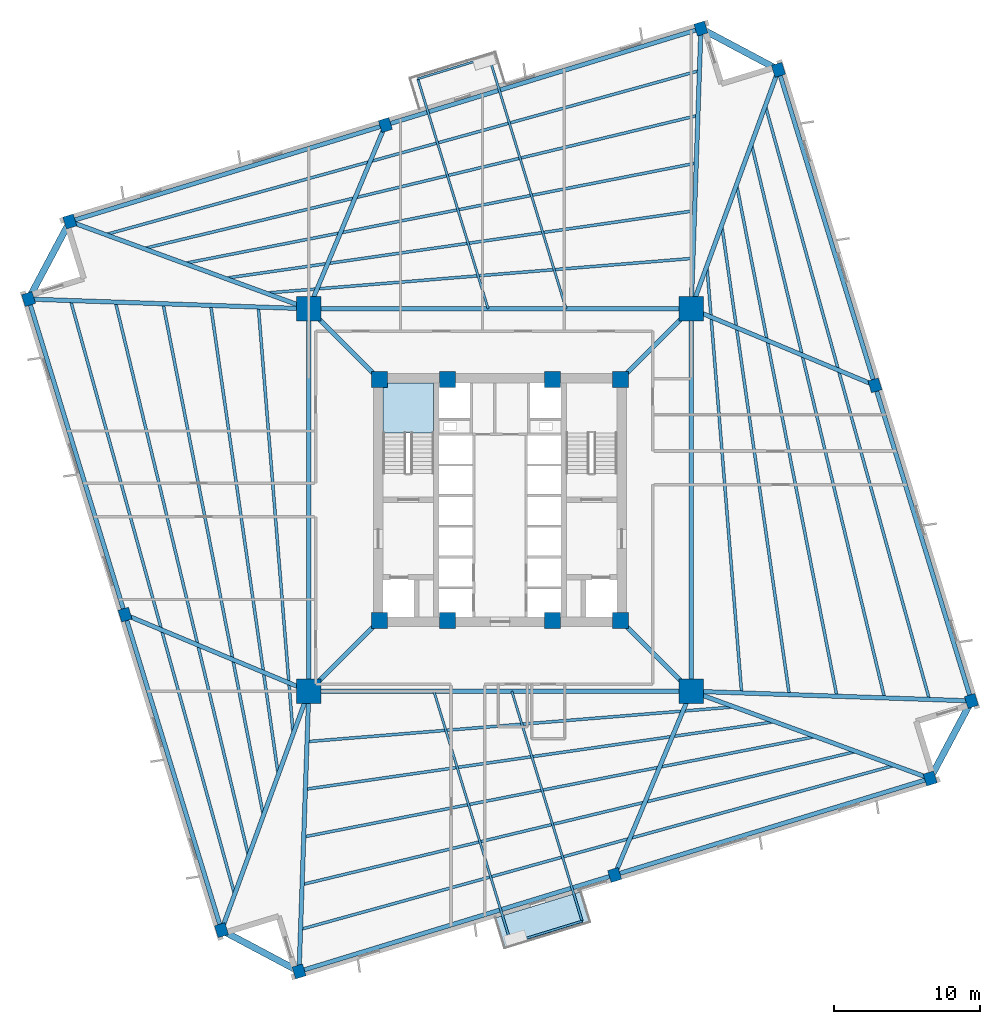
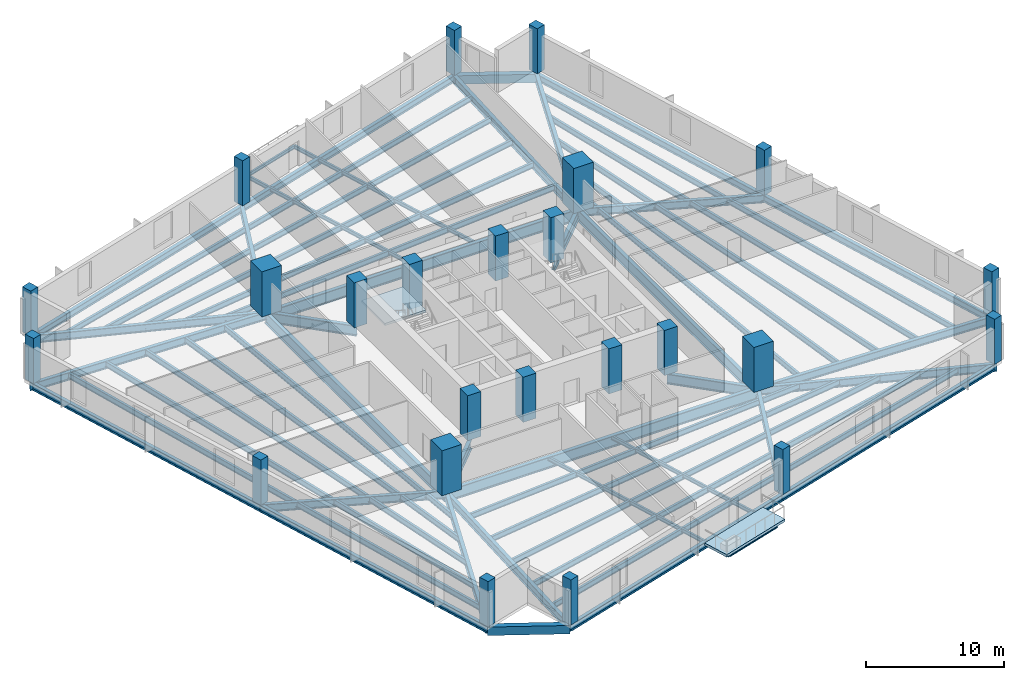
# One storey, part 1 of 8: 58 beams, 24 columns, 2 slabs, 1 element without a shape of its own.
"""IFC4 building model written with IfcOpenShell, lengths in metres."""

from ifc_helpers import new_model, si_unit, direction, frame, origin, origin_2d, place, context, subcontext, project, spatial, polyline, rectangle, i_section, outline, extrude, source, transform, mapped, material, layer, layer_set, material_profile, profile_set, type_object, element, aggregate, save


model = new_model("IFC4")

# Units and contexts
model_context = context("Model", 3, precision=1e-05, world=origin(), true_north=direction((0.0, 1.0)))
body_context = subcontext(model_context, "Body", "Model", "MODEL_VIEW")
ifc_project = project(units=[si_unit("LENGTHUNIT", "METRE"), si_unit("AREAUNIT", "SQUARE_METRE"), si_unit("VOLUMEUNIT", "CUBIC_METRE"), si_unit("PLANEANGLEUNIT", "RADIAN"), si_unit("MASSUNIT", "GRAM", prefix="KILO"), si_unit("THERMODYNAMICTEMPERATUREUNIT", "KELVIN")], contexts=[model_context])

# Site, building, storey
site_placement = place(None, origin())
site = spatial("IfcSite", under=ifc_project, at=site_placement, CompositionType="ELEMENT")
building_placement = place(site_placement, origin())
building = spatial("IfcBuilding", under=site, at=building_placement, Name="Kosmvard Interchange Tower", CompositionType="ELEMENT")
storey_placement = place(building_placement, frame((0.0, 0.0, 91.199951171875)))
storey = spatial("IfcBuildingStorey", under=building, at=storey_placement, Name="L21", CompositionType="ELEMENT", Elevation=91.199951171875)

# Columns
ifc_material_1 = material(Name="Concrete C80/95", Category="concrete")
ifc_material_profile_1 = material_profile(ifc_material_1, rectangle(XDim=1.10009765625, YDim=1.10009765625, at=origin_2d()), Name="CP 1100x1100")
ifc_profile_set_1 = profile_set([ifc_material_profile_1], Name="Concrete C80/95")
column_type_1 = type_object("IfcColumnType", Name="Core Boundary Pilaster 1100x1100 C80/95", PredefinedType="PILASTER", material=ifc_profile_set_1)
shared_shape_1 = source(origin(), body_context, "Body", "SweptSolid", [
    extrude(rectangle(XDim=1.10009765625, YDim=1.10009765625, at=origin_2d()), origin(), (0.0, 0.0, 1.0), 4.0),
])
for number, where, z_axis, x_axis, name in (
    (1, (-8.25, -8.25, 0.0), (0.0, 0.0, 1.0), (1.0, 0.0, 0.0), "L21 Core Pilaster CP1"),
    (2, (8.25, -8.25, 0.0), (0.0, 0.0, 1.0), (1.0, 0.0, 0.0), "L21 Core Pilaster CP2"),
    (3, (8.25, 8.25, 0.0), (0.0, 0.0, 1.0), (1.0, 0.0, 0.0), "L21 Core Pilaster CP3"),
    (4, (-8.25, 8.25, 0.0), (0.0, 0.0, 1.0), (1.0, 0.0, 0.0), "L21 Core Pilaster CP4"),
    (5, (-3.60009765625, -8.25, 0.0), (0.0, 0.0, 1.0), (1.0, 0.0, 0.0), "L21 Core Pilaster CP5"),
    (6, (3.60009765625, -8.25, 0.0), (0.0, 0.0, 1.0), (1.0, 0.0, 0.0), "L21 Core Pilaster CP6"),
    (7, (-3.60009765625, 8.25, 0.0), (0.0, 0.0, 1.0), (1.0, 0.0, 0.0), "L21 Core Pilaster CP7"),
    (8, (3.60009765625, 8.25, 0.0), (0.0, 0.0, 1.0), (1.0, 0.0, 0.0), "L21 Core Pilaster CP8"),
):
    element("IfcColumn", number, at=place(storey_placement, frame(where, z_axis=z_axis, x_axis=x_axis)), inside=storey, type_object=column_type_1, Name=name, PredefinedType="PILASTER", context=body_context, shape_type="MappedRepresentation", body=[
        mapped(shared_shape_1, transform((0.0, 0.0, 0.0), scale=1.0)),
    ])
ifc_material_2 = material(Name="Concrete C70/85", Category="concrete")
ifc_material_profile_2 = material_profile(ifc_material_2, rectangle(XDim=1.64990234375, YDim=1.64990234375, at=origin_2d()), Name="MC 1650x1650")
ifc_profile_set_2 = profile_set([ifc_material_profile_2], Name="Concrete C70/85")
column_type_2 = type_object("IfcColumnType", Name="Composite Mega-Column 1650x1650 C70/85", PredefinedType="COLUMN", material=ifc_profile_set_2)
shared_shape_2 = source(origin(), body_context, "Body", "SweptSolid", [
    extrude(rectangle(XDim=1.64990234375, YDim=1.64990234375, at=origin_2d()), origin(), (0.0, 0.0, 1.0), 4.0),
])
for number, where, z_axis, x_axis, name in (
    (9, (-13.0810546875, -13.0810546875, 0.0), (0.0, 0.0, 1.0), (1.0, 0.0, 0.0), "L21 Corner Mega-Column MC1"),
    (10, (13.0810546875, -13.0810546875, 0.0), (0.0, 0.0, 1.0), (1.0, 0.0, 0.0), "L21 Corner Mega-Column MC2"),
    (11, (13.0810546875, 13.0810546875, 0.0), (0.0, 0.0, 1.0), (1.0, 0.0, 0.0), "L21 Corner Mega-Column MC3"),
    (12, (-13.0810546875, 13.0810546875, 0.0), (0.0, 0.0, 1.0), (1.0, 0.0, 0.0), "L21 Corner Mega-Column MC4"),
):
    element("IfcColumn", number, at=place(storey_placement, frame(where, z_axis=z_axis, x_axis=x_axis)), inside=storey, type_object=column_type_2, Name=name, PredefinedType="COLUMN", context=body_context, shape_type="MappedRepresentation", body=[
        mapped(shared_shape_2, transform((0.0, 0.0, 0.0), scale=1.0)),
    ])
ifc_material_3 = material(Name="Concrete C60/75", Category="concrete")
ifc_material_profile_3 = material_profile(ifc_material_3, rectangle(XDim=0.75, YDim=0.85009765625, at=origin_2d()), Name="TC 850x750")
ifc_profile_set_3 = profile_set([ifc_material_profile_3], Name="Concrete C60/75")
column_type_3 = type_object("IfcColumnType", Name="Zone 2 Perimeter Pier Column 850x750 C60/75", PredefinedType="COLUMN", material=ifc_profile_set_3)
shared_shape_3 = source(origin(), body_context, "Body", "SweptSolid", [
    extrude(rectangle(XDim=0.75, YDim=0.85009765625, at=origin_2d()), origin(), (0.0, 0.0, 1.0), 4.0),
])
for number, where, z_axis, x_axis, name in (
    (13, (-13.74560546875, -32.253173828125, 0.0), (0.0, 0.0, 1.0), (0.956304755963, 0.292371704723, 0.0), "L21 Perimeter Pier Column TC-S1"),
    (14, (7.8427734375, -25.65283203125, 0.0), (0.0, 0.0, 1.0), (0.956304755963, 0.292371704723, 0.0), "L21 Perimeter Pier Column TC-S2"),
    (15, (29.431396484375, -19.052490234375, 0.0), (0.0, 0.0, 1.0), (0.956304755963, 0.292371704723, 0.0), "L21 Perimeter Pier Column TC-S3"),
    (16, (32.253173828125, -13.74560546875, 0.0), (0.0, 0.0, 1.0), (0.956304755963, 0.292371704723, 0.0), "L21 Perimeter Pier Column TC-E1"),
    (17, (25.65283203125, 7.8427734375, 0.0), (0.0, 0.0, 1.0), (0.956304755963, 0.292371704723, 0.0), "L21 Perimeter Pier Column TC-E2"),
    (18, (19.052490234375, 29.431396484375, 0.0), (0.0, 0.0, 1.0), (0.956304755963, 0.292371704723, 0.0), "L21 Perimeter Pier Column TC-E3"),
    (19, (13.74560546875, 32.253173828125, 0.0), (0.0, 0.0, 1.0), (0.956304755963, 0.292371704723, 0.0), "L21 Perimeter Pier Column TC-N1"),
    (20, (-7.8427734375, 25.65283203125, 0.0), (0.0, 0.0, 1.0), (0.956304755963, 0.292371704723, 0.0), "L21 Perimeter Pier Column TC-N2"),
    (21, (-29.431396484375, 19.052490234375, 0.0), (0.0, 0.0, 1.0), (0.956304755963, 0.292371704723, 0.0), "L21 Perimeter Pier Column TC-N3"),
    (22, (-32.253173828125, 13.74560546875, 0.0), (0.0, 0.0, 1.0), (0.956304755963, 0.292371704723, 0.0), "L21 Perimeter Pier Column TC-W1"),
    (23, (-25.65283203125, -7.8427734375, 0.0), (0.0, 0.0, 1.0), (0.956304755963, 0.292371704723, 0.0), "L21 Perimeter Pier Column TC-W2"),
    (24, (-19.052490234375, -29.431396484375, 0.0), (0.0, 0.0, 1.0), (0.956304755963, 0.292371704723, 0.0), "L21 Perimeter Pier Column TC-W3"),
):
    element("IfcColumn", number, at=place(storey_placement, frame(where, z_axis=z_axis, x_axis=x_axis)), inside=storey, type_object=column_type_3, Name=name, PredefinedType="COLUMN", context=body_context, shape_type="MappedRepresentation", body=[
        mapped(shared_shape_3, transform((0.0, 0.0, 0.0), scale=1.0)),
    ])

# Beams
ifc_material_4 = material(Name="Steel S460", Category="steel")
ifc_material_profile_4 = material_profile(ifc_material_4, i_section(OverallWidth=0.30810546875, OverallDepth=0.909912109375, WebThickness=0.02099609375, FlangeThickness=0.0400390625, FilletRadius=0.027099609375, at=origin_2d()), Name="HEM 900")
ifc_profile_set_4 = profile_set([ifc_material_profile_4], Name="Steel S460")
beam_type_1 = type_object("IfcBeamType", Name="Primary Mega-Frame Girder HEM 900 S460", PredefinedType="BEAM", material=ifc_profile_set_4)
shared_shape_4 = source(origin(), body_context, "Body", "SweptSolid", [
    extrude(i_section(OverallWidth=0.30810546875, OverallDepth=0.909912109375, WebThickness=0.02099609375, FlangeThickness=0.0400390625, FilletRadius=0.027099609375, at=origin_2d()), origin(), (0.0, 0.0, 1.0), 6.83203125),
])
for number, where, z_axis, x_axis, name in (
    (25, (-8.25, -8.25, -0.71484375), (-0.707106781187, -0.707106781187, 0.0), (0.707106781187, -0.707106781187, 0.0), "L21 Radial Mega-Frame Girder 1"),
    (26, (8.25, -8.25, -0.71484375), (0.707106781187, -0.707106781187, 0.0), (0.707106781187, 0.707106781187, 0.0), "L21 Radial Mega-Frame Girder 2"),
    (27, (8.25, 8.25, -0.71484375), (0.707106781187, 0.707106781187, 0.0), (-0.707106781187, 0.707106781187, 0.0), "L21 Radial Mega-Frame Girder 3"),
    (28, (-8.25, 8.25, -0.71484375), (-0.707106781187, 0.707106781187, 0.0), (-0.707106781187, -0.707106781187, 0.0), "L21 Radial Mega-Frame Girder 4"),
):
    element("IfcBeam", number, at=place(storey_placement, frame(where, z_axis=z_axis, x_axis=x_axis)), inside=storey, type_object=beam_type_1, Name=name, PredefinedType="BEAM", context=body_context, shape_type="MappedRepresentation", body=[
        mapped(shared_shape_4, transform((0.0, 0.0, 0.0), scale=1.0)),
    ])
ifc_material_profile_5 = material_profile(ifc_material_4, i_section(OverallWidth=0.30908203125, OverallDepth=1.008056640625, WebThickness=0.02099609375, FlangeThickness=0.0400390625, FilletRadius=0.030029296875, at=origin_2d()), Name="HEM 1000")
ifc_profile_set_5 = profile_set([ifc_material_profile_5], Name="Steel S460")
beam_type_2 = type_object("IfcBeamType", Name="Mega-Column Ring Girder HEM 1000 S460", PredefinedType="BEAM", material=ifc_profile_set_5)
shared_shape_5 = source(origin(), body_context, "Body", "SweptSolid", [
    extrude(i_section(OverallWidth=0.30908203125, OverallDepth=1.008056640625, WebThickness=0.02099609375, FlangeThickness=0.0400390625, FilletRadius=0.030029296875, at=origin_2d()), origin(), (0.0, 0.0, 1.0), 26.162109375),
])
for number, where, z_axis, x_axis, name in (
    (29, (-13.0810546875, -13.0810546875, -0.763916015625), (1.0, 0.0, 0.0), (0.0, 1.0, 0.0), "L21 Mega-Column Ring Girder 1"),
    (30, (13.0810546875, -13.0810546875, -0.763916015625), (0.0, 1.0, 0.0), (-1.0, 0.0, 0.0), "L21 Mega-Column Ring Girder 2"),
    (31, (13.0810546875, 13.0810546875, -0.763916015625), (-1.0, 0.0, 0.0), (0.0, -1.0, 0.0), "L21 Mega-Column Ring Girder 3"),
    (32, (-13.0810546875, 13.0810546875, -0.763916015625), (0.0, -1.0, 0.0), (1.0, 0.0, 0.0), "L21 Mega-Column Ring Girder 4"),
):
    element("IfcBeam", number, at=place(storey_placement, frame(where, z_axis=z_axis, x_axis=x_axis)), inside=storey, type_object=beam_type_2, Name=name, PredefinedType="BEAM", context=body_context, shape_type="MappedRepresentation", body=[
        mapped(shared_shape_5, transform((0.0, 0.0, 0.0), scale=1.0)),
    ])
ifc_material_5 = material(Name="Steel S355", Category="steel")
ifc_material_profile_6 = material_profile(ifc_material_5, i_section(OverallWidth=0.300048828125, OverallDepth=0.60009765625, WebThickness=0.015380859375, FlangeThickness=0.030029296875, FilletRadius=0.027099609375, at=origin_2d()), Name="HEB 600")
ifc_profile_set_6 = profile_set([ifc_material_profile_6], Name="Steel S355")
beam_type_3 = type_object("IfcBeamType", Name="Perimeter Tie Girder HEB 600 S355", PredefinedType="BEAM", material=ifc_profile_set_6)
shared_shape_6 = source(origin(), body_context, "Body", "SweptSolid", [
    extrude(i_section(OverallWidth=0.300048828125, OverallDepth=0.60009765625, WebThickness=0.015380859375, FlangeThickness=0.030029296875, FilletRadius=0.027099609375, at=origin_2d()), origin(), (0.0, 0.0, 1.0), 22.57470703125),
])
for number, where, z_axis, x_axis, name in (
    (33, (-13.74560546875, -32.253173828125, -0.56005859375), (0.956303368768, 0.292376241995, 0.0), (-0.292376241995, 0.956303368768, 0.0), "BM-L21-PR01"),
    (34, (32.253173828125, -13.74560546875, -0.56005859375), (-0.292376241995, 0.956303368768, 0.0), (-0.956303368768, -0.292376241995, 0.0), "BM-L21-PR04"),
    (35, (13.74560546875, 32.253173828125, -0.56005859375), (-0.956303368768, -0.292376241995, 0.0), (0.292376241995, -0.956303368768, 0.0), "BM-L21-PR07"),
    (36, (-32.253173828125, 13.74560546875, -0.56005859375), (0.292376241995, -0.956303368768, 0.0), (0.956303368768, 0.292376241995, 0.0), "BM-L21-PR10"),
):
    element("IfcBeam", number, at=place(storey_placement, frame(where, z_axis=z_axis, x_axis=x_axis)), inside=storey, type_object=beam_type_3, Name=name, PredefinedType="BEAM", context=body_context, shape_type="MappedRepresentation", body=[
        mapped(shared_shape_6, transform((0.0, 0.0, 0.0), scale=1.0)),
    ])
ifc_material_profile_7 = material_profile(ifc_material_5, i_section(OverallWidth=0.300048828125, OverallDepth=0.699951171875, WebThickness=0.01708984375, FlangeThickness=0.031982421875, FilletRadius=0.027099609375, at=origin_2d()), Name="HEB 700")
ifc_profile_set_7 = profile_set([ifc_material_profile_7], Name="Steel S355")
beam_type_4 = type_object("IfcBeamType", Name="Primary Floor Girder HEB 700 S355", PredefinedType="BEAM", material=ifc_profile_set_7)
shared_shape_7 = source(origin(), body_context, "Body", "SweptSolid", [
    extrude(i_section(OverallWidth=0.300048828125, OverallDepth=0.699951171875, WebThickness=0.01708984375, FlangeThickness=0.031982421875, FilletRadius=0.027099609375, at=origin_2d()), origin(), (0.0, 0.0, 1.0), 19.18359375),
])
for number, where, z_axis, x_axis, name in (
    (37, (-13.0810546875, -13.0810546875, -0.60986328125), (-0.034641549738, -0.999399801397, 0.0), (0.999399801397, -0.034641549738, 0.0), "BM-L21-RD01"),
    (38, (13.0810546875, -13.0810546875, -0.60986328125), (0.999399801397, -0.034641549738, 0.0), (0.034641549738, 0.999399801397, 0.0), "BM-L21-RD04"),
    (39, (13.0810546875, 13.0810546875, -0.60986328125), (0.034641549738, 0.999399801397, 0.0), (-0.999399801397, 0.034641549738, 0.0), "BM-L21-RD07"),
    (40, (-13.0810546875, 13.0810546875, -0.60986328125), (-0.999399801397, 0.034641549738, 0.0), (-0.034641549738, -0.999399801397, 0.0), "BM-L21-RD10"),
):
    element("IfcBeam", number, at=place(storey_placement, frame(where, z_axis=z_axis, x_axis=x_axis)), inside=storey, type_object=beam_type_4, Name=name, PredefinedType="BEAM", context=body_context, shape_type="MappedRepresentation", body=[
        mapped(shared_shape_7, transform((0.0, 0.0, 0.0), scale=1.0)),
    ])
shared_shape_8 = source(origin(), body_context, "Body", "SweptSolid", [
    extrude(i_section(OverallWidth=0.300048828125, OverallDepth=0.60009765625, WebThickness=0.015380859375, FlangeThickness=0.030029296875, FilletRadius=0.027099609375, at=origin_2d()), origin(), (0.0, 0.0, 1.0), 22.574951171875),
])
for number, where, z_axis, x_axis, name in (
    (41, (7.8427734375, -25.65283203125, -0.56005859375), (0.956304293239, 0.292373218222, 0.0), (-0.292373218222, 0.956304293239, 0.0), "BM-L21-PR02"),
    (42, (25.65283203125, 7.8427734375, -0.56005859375), (-0.292373218222, 0.956304293239, 0.0), (-0.956304293239, -0.292373218222, 0.0), "BM-L21-PR05"),
    (43, (-7.8427734375, 25.65283203125, -0.56005859375), (-0.956304293239, -0.292373218222, 0.0), (0.292373218222, -0.956304293239, 0.0), "BM-L21-PR08"),
    (44, (-25.65283203125, -7.8427734375, -0.56005859375), (0.292373218222, -0.956304293239, 0.0), (0.956304293239, 0.292373218222, 0.0), "BM-L21-PR11"),
):
    element("IfcBeam", number, at=place(storey_placement, frame(where, z_axis=z_axis, x_axis=x_axis)), inside=storey, type_object=beam_type_3, Name=name, PredefinedType="BEAM", context=body_context, shape_type="MappedRepresentation", body=[
        mapped(shared_shape_8, transform((0.0, 0.0, 0.0), scale=1.0)),
    ])
shared_shape_9 = source(origin(), body_context, "Body", "SweptSolid", [
    extrude(i_section(OverallWidth=0.300048828125, OverallDepth=0.699951171875, WebThickness=0.01708984375, FlangeThickness=0.031982421875, FilletRadius=0.027099609375, at=origin_2d()), origin(), (0.0, 0.0, 1.0), 13.619384765625),
])
for number, where, z_axis, x_axis, name in (
    (45, (13.0810546875, -13.0810546875, -0.60986328125), (-0.384617930303, -0.92307586237, 0.0), (0.92307586237, -0.384617930303, 0.0), "BM-L21-RD02"),
    (46, (13.0810546875, 13.0810546875, -0.60986328125), (0.92307586237, -0.384617930303, 0.0), (0.384617930303, 0.92307586237, 0.0), "BM-L21-RD05"),
    (47, (-13.0810546875, 13.0810546875, -0.60986328125), (0.384617930303, 0.92307586237, 0.0), (-0.92307586237, 0.384617930303, 0.0), "BM-L21-RD08"),
    (48, (-13.0810546875, -13.0810546875, -0.60986328125), (-0.92307586237, 0.384617930303, 0.0), (-0.384617930303, -0.92307586237, 0.0), "BM-L21-RD11"),
):
    element("IfcBeam", number, at=place(storey_placement, frame(where, z_axis=z_axis, x_axis=x_axis)), inside=storey, type_object=beam_type_4, Name=name, PredefinedType="BEAM", context=body_context, shape_type="MappedRepresentation", body=[
        mapped(shared_shape_9, transform((0.0, 0.0, 0.0), scale=1.0)),
    ])
ifc_material_6 = material(Name="Precast concrete C45/55", Category="concrete")
ifc_material_profile_8 = material_profile(ifc_material_6, rectangle(XDim=0.449951171875, YDim=0.75, at=origin_2d()), Name="SL 450x750")
ifc_profile_set_8 = profile_set([ifc_material_profile_8], Name="Precast concrete C45/55")
beam_type_5 = type_object("IfcBeamType", Name="Precast Spandrel Lintel 450x750 C45/55", PredefinedType="LINTEL", material=ifc_profile_set_8)
shared_shape_10 = source(origin(), body_context, "Body", "SweptSolid", [
    extrude(rectangle(XDim=0.449951171875, YDim=0.75, at=origin_2d()), origin(), (0.0, 0.0, 1.0), 6.010498046875),
])
for number, where, z_axis, x_axis, name in (
    (49, (29.431396484375, -19.052490234375, -0.635009765625), (0.469478912111, 0.882943685114, 0.0), (-0.882943685114, 0.469478912111, 0.0), "BM-L21-SL1"),
    (50, (19.052490234375, 29.431396484375, -0.635009765625), (-0.882943685114, 0.469478912111, 0.0), (-0.469478912111, -0.882943685114, 0.0), "BM-L21-SL2"),
    (51, (-29.431396484375, 19.052490234375, -0.635009765625), (-0.469478912111, -0.882943685114, 0.0), (0.882943685114, -0.469478912111, 0.0), "BM-L21-SL3"),
    (52, (-19.052490234375, -29.431396484375, -0.635009765625), (0.882943685114, -0.469478912111, 0.0), (0.469478912111, 0.882943685114, 0.0), "BM-L21-SL4"),
):
    element("IfcBeam", number, at=place(storey_placement, frame(where, z_axis=z_axis, x_axis=x_axis)), inside=storey, type_object=beam_type_5, Name=name, PredefinedType="LINTEL", context=body_context, shape_type="MappedRepresentation", body=[
        mapped(shared_shape_10, transform((0.0, 0.0, 0.0), scale=1.0)),
    ])
shared_shape_11 = source(origin(), body_context, "Body", "SweptSolid", [
    extrude(i_section(OverallWidth=0.300048828125, OverallDepth=0.699951171875, WebThickness=0.01708984375, FlangeThickness=0.031982421875, FilletRadius=0.027099609375, at=origin_2d()), origin(), (0.0, 0.0, 1.0), 17.40673828125),
])
for number, where, z_axis, x_axis, name in (
    (53, (13.0810546875, -13.0810546875, -0.60986328125), (0.939315429031, -0.343054696491, 0.0), (0.343054696491, 0.939315429031, 0.0), "BM-L21-RD03"),
    (54, (13.0810546875, 13.0810546875, -0.60986328125), (0.343054696491, 0.939315429031, 0.0), (-0.939315429031, 0.343054696491, 0.0), "BM-L21-RD06"),
    (55, (-13.0810546875, 13.0810546875, -0.60986328125), (-0.939315429031, 0.343054696491, 0.0), (-0.343054696491, -0.939315429031, 0.0), "BM-L21-RD09"),
    (56, (-13.0810546875, -13.0810546875, -0.60986328125), (-0.343054696491, -0.939315429031, 0.0), (0.939315429031, -0.343054696491, 0.0), "BM-L21-RD12"),
):
    element("IfcBeam", number, at=place(storey_placement, frame(where, z_axis=z_axis, x_axis=x_axis)), inside=storey, type_object=beam_type_4, Name=name, PredefinedType="BEAM", context=body_context, shape_type="MappedRepresentation", body=[
        mapped(shared_shape_11, transform((0.0, 0.0, 0.0), scale=1.0)),
    ])
ifc_material_profile_9 = material_profile(ifc_material_5, i_section(OverallWidth=0.199951171875, OverallDepth=0.5, WebThickness=0.01025390625, FlangeThickness=0.01611328125, FilletRadius=0.02099609375, at=origin_2d()), Name="IPE 500")
ifc_profile_set_9 = profile_set([ifc_material_profile_9], Name="Steel S355")
beam_type_6 = type_object("IfcBeamType", Name="Standard Floor Joist IPE 500 S355", PredefinedType="JOIST", material=ifc_profile_set_9)
shared_shape_12 = source(origin(), body_context, "Body", "SweptSolid", [
    extrude(i_section(OverallWidth=0.199951171875, OverallDepth=0.5, WebThickness=0.01025390625, FlangeThickness=0.01611328125, FilletRadius=0.02099609375, at=origin_2d()), origin(), (0.0, 0.0, 1.0), 29.1611328125),
])
for number, where, z_axis, x_axis, name in (
    (57, (-13.120849609375, -16.525390625, -0.510009765625), (0.99671134435, 0.081033919093, 0.0), (-0.081033919093, 0.99671134435, 0.0), "BM-L21-FJ01"),
    (58, (16.525390625, -13.120849609375, -0.510009765625), (-0.081033919093, 0.99671134435, 0.0), (-0.99671134435, -0.081033919093, 0.0), "BM-L21-FJ06"),
    (59, (13.120849609375, 16.525390625, -0.510009765625), (-0.99671134435, -0.081033919093, 0.0), (0.081033919093, -0.99671134435, 0.0), "BM-L21-FJ11"),
    (60, (-16.525390625, 13.120849609375, -0.510009765625), (0.081033919093, -0.99671134435, 0.0), (0.99671134435, 0.081033919093, 0.0), "BM-L21-FJ16"),
):
    element("IfcBeam", number, at=place(storey_placement, frame(where, z_axis=z_axis, x_axis=x_axis)), inside=storey, type_object=beam_type_6, Name=name, PredefinedType="JOIST", context=body_context, shape_type="MappedRepresentation", body=[
        mapped(shared_shape_12, transform((0.0, 0.0, 0.0), scale=1.0)),
    ])
shared_shape_13 = source(origin(), body_context, "Body", "SweptSolid", [
    extrude(i_section(OverallWidth=0.199951171875, OverallDepth=0.5, WebThickness=0.01025390625, FlangeThickness=0.01611328125, FilletRadius=0.02099609375, at=origin_2d()), origin(), (0.0, 0.0, 1.0), 32.287841796875),
])
for number, where, z_axis, x_axis, name in (
    (61, (-13.234375, -19.77978515625, -0.510009765625), (0.989810798314, 0.142388846268, 0.0), (-0.142388846268, 0.989810798314, 0.0), "BM-L21-FJ02"),
    (62, (19.77978515625, -13.234375, -0.510009765625), (-0.142388846268, 0.989810798314, 0.0), (-0.989810798314, -0.142388846268, 0.0), "BM-L21-FJ07"),
    (63, (13.234375, 19.77978515625, -0.510009765625), (-0.989810798314, -0.142388846268, 0.0), (0.142388846268, -0.989810798314, 0.0), "BM-L21-FJ12"),
    (64, (-19.77978515625, 13.234375, -0.510009765625), (0.142388846268, -0.989810798314, 0.0), (0.989810798314, 0.142388846268, 0.0), "BM-L21-FJ17"),
):
    element("IfcBeam", number, at=place(storey_placement, frame(where, z_axis=z_axis, x_axis=x_axis)), inside=storey, type_object=beam_type_6, Name=name, PredefinedType="JOIST", context=body_context, shape_type="MappedRepresentation", body=[
        mapped(shared_shape_13, transform((0.0, 0.0, 0.0), scale=1.0)),
    ])
shared_shape_14 = source(origin(), body_context, "Body", "SweptSolid", [
    extrude(i_section(OverallWidth=0.199951171875, OverallDepth=0.5, WebThickness=0.01025390625, FlangeThickness=0.01611328125, FilletRadius=0.02099609375, at=origin_2d()), origin(), (0.0, 0.0, 1.0), 35.516357421875),
])
for number, where, z_axis, x_axis, name in (
    (65, (-13.34814453125, -23.03515625, -0.510009765625), (0.981315785618, 0.192404077134, 0.0), (-0.192404077134, 0.981315785618, 0.0), "BM-L21-FJ03"),
    (66, (23.03515625, -13.34814453125, -0.510009765625), (-0.192404077134, 0.981315785618, 0.0), (-0.981315785618, -0.192404077134, 0.0), "BM-L21-FJ08"),
    (67, (13.34814453125, 23.03515625, -0.510009765625), (-0.981315785618, -0.192404077134, 0.0), (0.192404077134, -0.981315785618, 0.0), "BM-L21-FJ13"),
    (68, (-23.03515625, 13.34814453125, -0.510009765625), (0.192404077134, -0.981315785618, 0.0), (0.981315785618, 0.192404077134, 0.0), "BM-L21-FJ18"),
):
    element("IfcBeam", number, at=place(storey_placement, frame(where, z_axis=z_axis, x_axis=x_axis)), inside=storey, type_object=beam_type_6, Name=name, PredefinedType="JOIST", context=body_context, shape_type="MappedRepresentation", body=[
        mapped(shared_shape_14, transform((0.0, 0.0, 0.0), scale=1.0)),
    ])
shared_shape_15 = source(origin(), body_context, "Body", "SweptSolid", [
    extrude(i_section(OverallWidth=0.199951171875, OverallDepth=0.5, WebThickness=0.01025390625, FlangeThickness=0.01611328125, FilletRadius=0.02099609375, at=origin_2d()), origin(), (0.0, 0.0, 1.0), 38.821533203125),
])
for number, where, z_axis, x_axis, name in (
    (69, (-13.4619140625, -26.291015625, -0.510009765625), (0.972318244358, 0.233660505198, 0.0), (-0.233660505198, 0.972318244358, 0.0), "BM-L21-FJ04"),
    (70, (26.291015625, -13.4619140625, -0.510009765625), (-0.233660505198, 0.972318244358, 0.0), (-0.972318244358, -0.233660505198, 0.0), "BM-L21-FJ09"),
    (71, (13.4619140625, 26.291015625, -0.510009765625), (-0.972318244358, -0.233660505198, 0.0), (0.233660505198, -0.972318244358, 0.0), "BM-L21-FJ14"),
    (72, (-26.291015625, 13.4619140625, -0.510009765625), (0.233660505198, -0.972318244358, 0.0), (0.972318244358, 0.233660505198, 0.0), "BM-L21-FJ19"),
):
    element("IfcBeam", number, at=place(storey_placement, frame(where, z_axis=z_axis, x_axis=x_axis)), inside=storey, type_object=beam_type_6, Name=name, PredefinedType="JOIST", context=body_context, shape_type="MappedRepresentation", body=[
        mapped(shared_shape_15, transform((0.0, 0.0, 0.0), scale=1.0)),
    ])
shared_shape_16 = source(origin(), body_context, "Body", "SweptSolid", [
    extrude(i_section(OverallWidth=0.199951171875, OverallDepth=0.5, WebThickness=0.01025390625, FlangeThickness=0.01611328125, FilletRadius=0.02099609375, at=origin_2d()), origin(), (0.0, 0.0, 1.0), 41.98583984375),
])
for number, where, z_axis, x_axis, name in (
    (73, (-13.56884765625, -29.35595703125, -0.510009765625), (0.96391074105, 0.266225624778, 0.0), (-0.266225624778, 0.96391074105, 0.0), "BM-L21-FJ05"),
    (74, (29.35595703125, -13.56884765625, -0.510009765625), (-0.266225624778, 0.96391074105, 0.0), (-0.96391074105, -0.266225624778, 0.0), "BM-L21-FJ10"),
    (75, (13.56884765625, 29.35595703125, -0.510009765625), (-0.96391074105, -0.266225624778, 0.0), (0.266225624778, -0.96391074105, 0.0), "BM-L21-FJ15"),
    (76, (-29.35595703125, 13.56884765625, -0.510009765625), (0.266225624778, -0.96391074105, 0.0), (0.96391074105, 0.266225624778, 0.0), "BM-L21-FJ20"),
):
    element("IfcBeam", number, at=place(storey_placement, frame(where, z_axis=z_axis, x_axis=x_axis)), inside=storey, type_object=beam_type_6, Name=name, PredefinedType="JOIST", context=body_context, shape_type="MappedRepresentation", body=[
        mapped(shared_shape_16, transform((0.0, 0.0, 0.0), scale=1.0)),
    ])
ifc_material_profile_10 = material_profile(ifc_material_5, i_section(OverallWidth=0.159912109375, OverallDepth=0.330078125, WebThickness=0.007568359375, FlangeThickness=0.011474609375, FilletRadius=0.01806640625, at=origin_2d()), Name="IPE 330")
ifc_profile_set_10 = profile_set([ifc_material_profile_10], Name="Steel S355")
beam_type_7 = type_object("IfcBeamType", Name="Balcony Cantilever Joist IPE 330 S355", PredefinedType="JOIST", material=ifc_profile_set_10)
shared_shape_17 = source(origin(), body_context, "Body", "SweptSolid", [
    extrude(i_section(OverallWidth=0.159912109375, OverallDepth=0.330078125, WebThickness=0.007568359375, FlangeThickness=0.011474609375, FilletRadius=0.01806640625, at=origin_2d()), origin(), (0.0, 0.0, 1.0), 18.012939453125),
])
for number, where, z_axis, x_axis, name in (
    (77, (4.523193359375, 13.0810546875, -0.425048828125), (-0.292378649758, 0.956302632625, 0.0), (-0.956302632625, -0.292378649758, 0.0), "BM-L21-BJ1"),
    (78, (-4.523193359375, -13.0810546875, -0.425048828125), (0.292378649758, -0.956302632625, 0.0), (0.956302632625, 0.292378649758, 0.0), "BM-L21-BJ2"),
):
    element("IfcBeam", number, at=place(storey_placement, frame(where, z_axis=z_axis, x_axis=x_axis)), inside=storey, type_object=beam_type_7, Name=name, PredefinedType="JOIST", context=body_context, shape_type="MappedRepresentation", body=[
        mapped(shared_shape_17, transform((0.0, 0.0, 0.0), scale=1.0)),
    ])
shared_shape_18 = source(origin(), body_context, "Body", "SweptSolid", [
    extrude(i_section(OverallWidth=0.159912109375, OverallDepth=0.330078125, WebThickness=0.007568359375, FlangeThickness=0.011474609375, FilletRadius=0.01806640625, at=origin_2d()), origin(), (0.0, 0.0, 1.0), 16.453857421875),
])
for number, where, z_axis, x_axis, name in (
    (79, (-0.809814453125, 13.0810546875, -0.425048828125), (-0.292380627761, 0.956302027871, 0.0), (-0.956302027871, -0.292380627761, 0.0), "BM-L21-BJB1"),
    (80, (0.809814453125, -13.0810546875, -0.425048828125), (0.292380627761, -0.956302027871, 0.0), (0.956302027871, 0.292380627761, 0.0), "BM-L21-BJB2"),
):
    element("IfcBeam", number, at=place(storey_placement, frame(where, z_axis=z_axis, x_axis=x_axis)), inside=storey, type_object=beam_type_7, Name=name, PredefinedType="JOIST", context=body_context, shape_type="MappedRepresentation", body=[
        mapped(shared_shape_18, transform((0.0, 0.0, 0.0), scale=1.0)),
    ])
ifc_material_profile_11 = material_profile(ifc_material_5, i_section(OverallWidth=0.14990234375, OverallDepth=0.300048828125, WebThickness=0.007080078125, FlangeThickness=0.0107421875, FilletRadius=0.014892578125, at=origin_2d()), Name="IPE 300")
ifc_profile_set_11 = profile_set([ifc_material_profile_11], Name="Steel S355")
beam_type_8 = type_object("IfcBeamType", Name="Balcony Edge Header Joist IPE 300 S355", PredefinedType="JOIST", material=ifc_profile_set_11)
shared_shape_19 = source(origin(), body_context, "Body", "SweptSolid", [
    extrude(i_section(OverallWidth=0.14990234375, OverallDepth=0.300048828125, WebThickness=0.007080078125, FlangeThickness=0.0107421875, FilletRadius=0.014892578125, at=origin_2d()), origin(), (0.0, 0.0, 1.0), 5.10009765625),
])
for number, where, z_axis, x_axis, name in (
    (81, (-0.743408203125, 30.306884765625, -0.409912109375), (-0.956312543024, -0.292346233181, 0.0), (0.292346233181, -0.956312543024, 0.0), "BM-L21-BJH1"),
    (82, (0.743408203125, -30.306884765625, -0.409912109375), (0.956312543024, 0.292346233181, 0.0), (-0.292346233181, 0.956312543024, 0.0), "BM-L21-BJH2"),
):
    element("IfcBeam", number, at=place(storey_placement, frame(where, z_axis=z_axis, x_axis=x_axis)), inside=storey, type_object=beam_type_8, Name=name, PredefinedType="JOIST", context=body_context, shape_type="MappedRepresentation", body=[
        mapped(shared_shape_19, transform((0.0, 0.0, 0.0), scale=1.0)),
    ])

# Stair, slab
ifc_material_7 = material(Name="Concrete C50/60", Category="concrete")
stair_type = type_object("IfcStairType", Name="Dog-Leg Core Exit Stair H4000 C50/60", PredefinedType="HALF_TURN_STAIR", material=ifc_material_7)
stair_placement = place(storey_placement, origin())
stair = element("IfcStair", 83, at=stair_placement, inside=storey, type_object=stair_type, Name="L21 Protected Exit Stair ST-1", PredefinedType="HALF_TURN_STAIR")
ifc_layer_1 = layer(ifc_material_7, 0.199951171875, Name="Concrete C50/60")
ifc_layer_set_1 = layer_set([ifc_layer_1], Name="Concrete C50/60")
slab_type_1 = type_object("IfcSlabType", Name="Stair Half-Landing Slab 200 C50/60", PredefinedType="LANDING", material=ifc_layer_set_1)
slab_1_placement = place(storey_placement, frame((0.0, 0.0, 1.800048828125)))
slab_1 = element("IfcSlab", 84, at=slab_1_placement, type_object=slab_type_1, Name="ST-1 landing 1", PredefinedType="LANDING", context=body_context, shape_type="SweptSolid", body=[
    extrude(outline(polyline([(-4.5400390625, 4.60009765625), (-4.5400390625, 8.0), (-8.0, 8.0), (-8.0, 4.60009765625), (-4.5400390625, 4.60009765625)])), origin(), (0.0, 0.0, 1.0), 0.199951171875),
])
aggregate(stair, [slab_1])

# Slab
ifc_layer_2 = layer(ifc_material_7, 0.22998046875, Name="Concrete C50/60")
ifc_layer_set_2 = layer_set([ifc_layer_2], Name="Concrete C50/60")
slab_type_2 = type_object("IfcSlabType", Name="Tree-Planter Cantilever Balcony Slab 230 C50/60", PredefinedType="FLOOR", material=ifc_layer_set_2)
slab_2_placement = place(storey_placement, frame((0.0, 0.0, -0.22998046875)))
element("IfcSlab", 85, at=slab_2_placement, inside=storey, type_object=slab_type_2, Name="L21 Outdoor Terrace Balcony Slab BAL-L21-S", PredefinedType="FLOOR", context=body_context, shape_type="SweptSolid", body=[
    extrude(outline(polyline([(0.29052734375, -30.706787109375), (6.219482421875, -28.89404296875), (5.576416015625, -26.790283203125), (-0.352783203125, -28.60302734375), (0.29052734375, -30.706787109375)])), origin(), (0.0, 0.0, 1.0), 0.22998046875),
])

save(model, "model.ifc")
